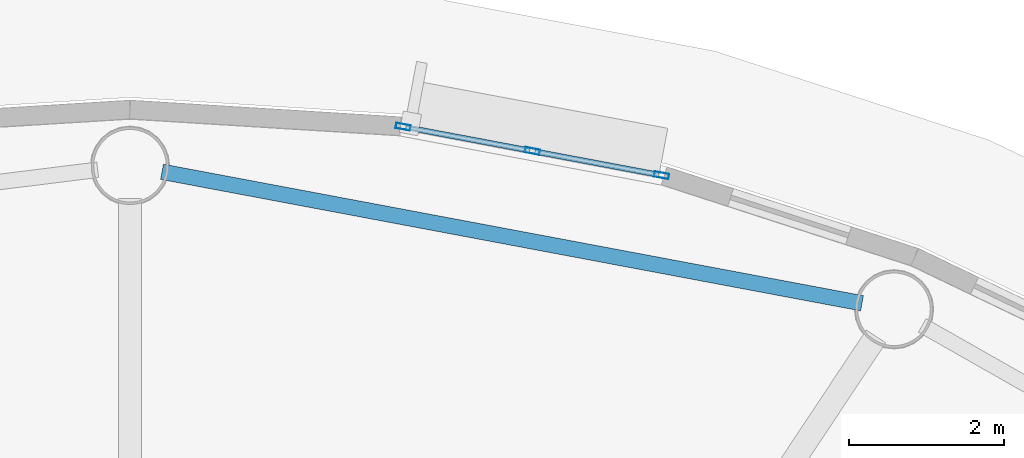
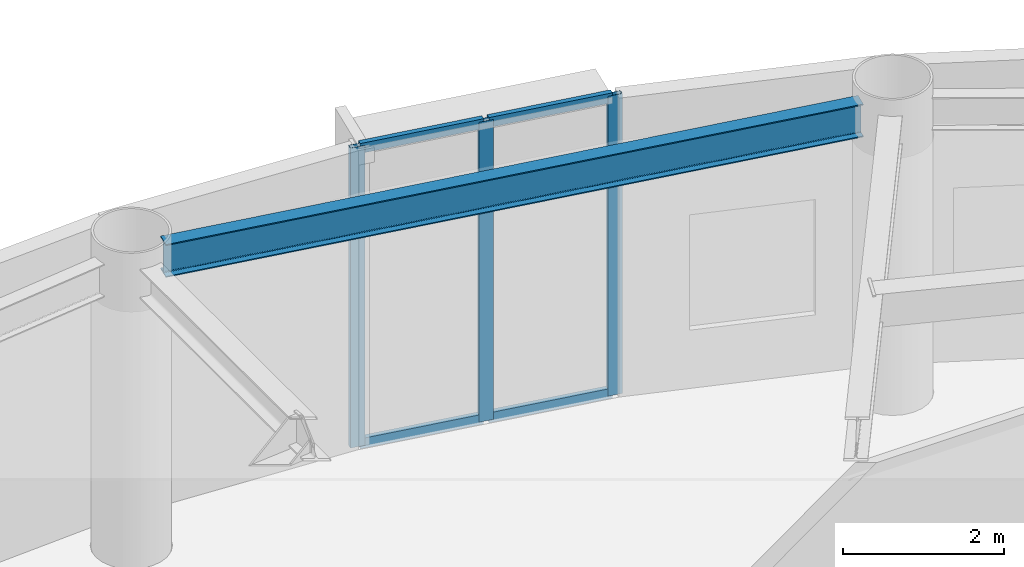
# One storey, part 19 of 32: 7 members, 1 beam, 1 element without a shape of its own.
"""IFC4 building model written with IfcOpenShell, lengths in metres."""

from ifc_helpers import new_model, si_unit, direction, frame, origin, origin_2d, place, context, subcontext, project, spatial, hollow_rectangle, i_section, extrude, source, transform, mapped, material, layer, layer_set, material_profile, profile_set, type_object, element, aggregate, save


model = new_model("IFC4")

# Units and contexts
model_context = context("Model", 3, precision=1e-05, world=origin(), true_north=direction((0.0, 1.0)))
body_context = subcontext(model_context, "Body", "Model", "MODEL_VIEW")
ifc_project = project(units=[si_unit("LENGTHUNIT", "METRE"), si_unit("AREAUNIT", "SQUARE_METRE"), si_unit("VOLUMEUNIT", "CUBIC_METRE"), si_unit("PLANEANGLEUNIT", "RADIAN"), si_unit("MASSUNIT", "GRAM", prefix="KILO")], contexts=[model_context])

# Site, building, storey
site_placement = place(None, origin())
site = spatial("IfcSite", under=ifc_project, at=site_placement, CompositionType="ELEMENT")
building_placement = place(site_placement, origin())
building = spatial("IfcBuilding", under=site, at=building_placement, Name="Linh Dai School and Residence Tower", CompositionType="ELEMENT")
storey_placement = place(building_placement, frame((0.0, 0.0, 268.199951171875)))
storey = spatial("IfcBuildingStorey", under=building, at=storey_placement, Name="L66", CompositionType="ELEMENT", Elevation=268.199951171875)

# Beam
ifc_material_1 = material(Name="Structural Steel S355JR", Category="steel")
ifc_material_profile_1 = material_profile(ifc_material_1, i_section(OverallWidth=0.199951171875, OverallDepth=0.5, WebThickness=0.01025390625, FlangeThickness=0.01611328125, FilletRadius=0.02099609375, at=origin_2d()), Name="IPE 500")
ifc_profile_set_1 = profile_set([ifc_material_profile_1], Name="Structural Steel S355JR")
beam_type = type_object("IfcBeamType", Name="BM-RB50", PredefinedType="BEAM", material=ifc_profile_set_1)
beam_placement = place(storey_placement, frame((45.441650390625, 41.916259765625, 4.300048828125), z_axis=(-0.982805333306, 0.184644731378, 0.0), x_axis=(-0.184644731378, -0.982805333306, 0.0)))
element("IfcBeam", 1, at=beam_placement, inside=storey, type_object=beam_type, Name="L66 Perimeter Elliptical Ring Beam 04", PredefinedType="BEAM", context=body_context, shape_type="SweptSolid", body=[
    extrude(i_section(OverallWidth=0.199951171875, OverallDepth=0.5, WebThickness=0.01025390625, FlangeThickness=0.01611328125, FilletRadius=0.02099609375, at=origin_2d()), origin(), (0.0, 0.0, 1.0), 9.186767578125),
])

# Curtain wall, members
ifc_material_2 = material(Name="Aluminium Anodised Curtain Wall", Category="aluminium")
ifc_layer = layer(ifc_material_2, 0.18994140625)
ifc_layer_set = layer_set([ifc_layer], Name="Aluminium Anodised Curtain Wall")
curtain_wall_type = type_object("IfcCurtainWallType", Name="CW-SYS-5", PredefinedType="USERDEFINED", material=ifc_layer_set)
curtain_wall_placement = place(storey_placement, origin())
curtain_wall = element("IfcCurtainWall", 2, at=curtain_wall_placement, inside=storey, type_object=curtain_wall_type, Name="L66 CW5 Curtain Wall 09", ObjectType="UNITISED CURTAIN WALL", PredefinedType="USERDEFINED")
ifc_material_3 = material(Name="Aluminium Alloy 6063-T6", Category="aluminium")
ifc_material_profile_2 = material_profile(ifc_material_3, hollow_rectangle(XDim=0.070068359375, YDim=0.18994140625, WallThickness=0.00390625, at=origin_2d()), Name="RHS 190x70x4")
ifc_profile_set_2 = profile_set([ifc_material_profile_2], Name="Aluminium Alloy 6063-T6")
member_type_1 = type_object("IfcMemberType", Name="CW-SYS-5-MUL", PredefinedType="MULLION", material=ifc_profile_set_2)
shared_shape_1 = source(origin(), body_context, "Body", "SweptSolid", [
    extrude(hollow_rectangle(XDim=0.070068359375, YDim=0.18994140625, WallThickness=0.00390625, at=origin_2d()), origin(), (0.0, 0.0, 1.0), 4.550048828125),
])
member_1_placement = place(storey_placement, frame((39.523193359375, 44.193603515625, 0.0), z_axis=(0.0, 0.0, 1.0), x_axis=(0.184751197452, 0.982785325002, 0.0)))
member_1 = element("IfcMember", 3, at=member_1_placement, type_object=member_type_1, Name="CW5 mullion 1", PredefinedType="MULLION", context=body_context, shape_type="MappedRepresentation", body=[
    mapped(shared_shape_1, transform((0.0, 0.0, 0.0), x_axis=(1.0, 0.0, 0.0), y_axis=(0.0, 1.0, 0.0), z_axis=(0.0, 0.0, 1.0), scale=1.0)),
])
member_2_placement = place(storey_placement, frame((41.18994140625, 43.880126953125, 0.0), z_axis=(0.0, 0.0, 1.0), x_axis=(0.184751197452, 0.982785325002, 0.0)))
member_2 = element("IfcMember", 4, at=member_2_placement, type_object=member_type_1, Name="CW5 mullion 2", PredefinedType="MULLION", context=body_context, shape_type="MappedRepresentation", body=[
    mapped(shared_shape_1, transform((0.0, 0.0, 0.0), x_axis=(1.0, 0.0, 0.0), y_axis=(0.0, 1.0, 0.0), z_axis=(0.0, 0.0, 1.0), scale=1.0)),
])
member_3_placement = place(storey_placement, frame((42.856689453125, 43.56689453125, 0.0), z_axis=(0.0, 0.0, 1.0), x_axis=(0.184751197452, 0.982785325002, 0.0)))
member_3 = element("IfcMember", 5, at=member_3_placement, type_object=member_type_1, Name="CW5 mullion 3", PredefinedType="MULLION", context=body_context, shape_type="MappedRepresentation", body=[
    mapped(shared_shape_1, transform((0.0, 0.0, 0.0), x_axis=(1.0, 0.0, 0.0), y_axis=(0.0, 1.0, 0.0), z_axis=(0.0, 0.0, 1.0), scale=1.0)),
])
ifc_material_profile_3 = material_profile(ifc_material_3, hollow_rectangle(XDim=0.070068359375, YDim=0.14990234375, WallThickness=0.00390625, at=origin_2d()), Name="RHS 150x70x4")
ifc_profile_set_3 = profile_set([ifc_material_profile_3], Name="Aluminium Alloy 6063-T6")
member_type_2 = type_object("IfcMemberType", Name="CW-SYS-5-TRN", PredefinedType="USERDEFINED", material=ifc_profile_set_3)
shared_shape_2 = source(origin(), body_context, "Body", "SweptSolid", [
    extrude(hollow_rectangle(XDim=0.070068359375, YDim=0.14990234375, WallThickness=0.00390625, at=origin_2d()), origin(), (0.0, 0.0, 1.0), 1.6259765625),
])
member_4_placement = place(storey_placement, frame((39.5576171875, 44.18701171875, 0.03515625), z_axis=(0.98279560578, -0.184696500399, 0.0), x_axis=(0.184696500399, 0.98279560578, 0.0)))
member_4 = element("IfcMember", 6, at=member_4_placement, type_object=member_type_2, Name="CW5 transom 1.1", ObjectType="TRANSOM", PredefinedType="USERDEFINED", context=body_context, shape_type="MappedRepresentation", body=[
    mapped(shared_shape_2, transform((0.0, 0.0, 0.0), x_axis=(1.0, 0.0, 0.0), y_axis=(0.0, 1.0, 0.0), z_axis=(0.0, 0.0, 1.0), scale=1.0)),
])
member_5_placement = place(storey_placement, frame((39.5576171875, 44.18701171875, 4.51513671875), z_axis=(0.98279560578, -0.184696500399, 0.0), x_axis=(0.184696500399, 0.98279560578, 0.0)))
member_5 = element("IfcMember", 7, at=member_5_placement, type_object=member_type_2, Name="CW5 transom 1.2", ObjectType="TRANSOM", PredefinedType="USERDEFINED", context=body_context, shape_type="MappedRepresentation", body=[
    mapped(shared_shape_2, transform((0.0, 0.0, 0.0), x_axis=(1.0, 0.0, 0.0), y_axis=(0.0, 1.0, 0.0), z_axis=(0.0, 0.0, 1.0), scale=1.0)),
])
member_6_placement = place(storey_placement, frame((41.224365234375, 43.873779296875, 0.03515625), z_axis=(0.982768339, -0.184841531751, 0.0), x_axis=(0.184841531751, 0.982768339, 0.0)))
member_6 = element("IfcMember", 8, at=member_6_placement, type_object=member_type_2, Name="CW5 transom 2.1", ObjectType="TRANSOM", PredefinedType="USERDEFINED", context=body_context, shape_type="MappedRepresentation", body=[
    mapped(shared_shape_2, transform((0.0, 0.0, 0.0), x_axis=(1.0, 0.0, 0.0), y_axis=(0.0, 1.0, 0.0), z_axis=(0.0, 0.0, 1.0), scale=1.0)),
])
member_7_placement = place(storey_placement, frame((41.224365234375, 43.873779296875, 4.51513671875), z_axis=(0.982768339, -0.184841531751, 0.0), x_axis=(0.184841531751, 0.982768339, 0.0)))
member_7 = element("IfcMember", 9, at=member_7_placement, type_object=member_type_2, Name="CW5 transom 2.2", ObjectType="TRANSOM", PredefinedType="USERDEFINED", context=body_context, shape_type="MappedRepresentation", body=[
    mapped(shared_shape_2, transform((0.0, 0.0, 0.0), x_axis=(1.0, 0.0, 0.0), y_axis=(0.0, 1.0, 0.0), z_axis=(0.0, 0.0, 1.0), scale=1.0)),
])
aggregate(curtain_wall, [member_1, member_2, member_3, member_4, member_5, member_6, member_7])

save(model, "model.ifc")
